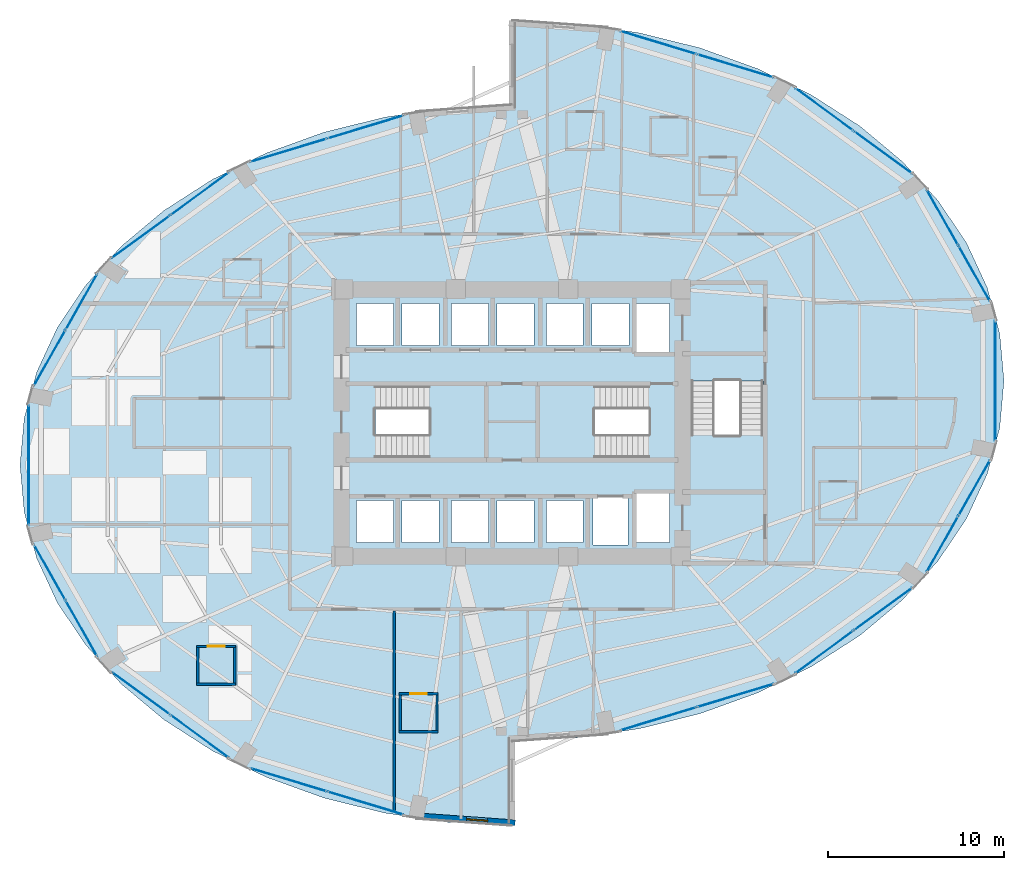
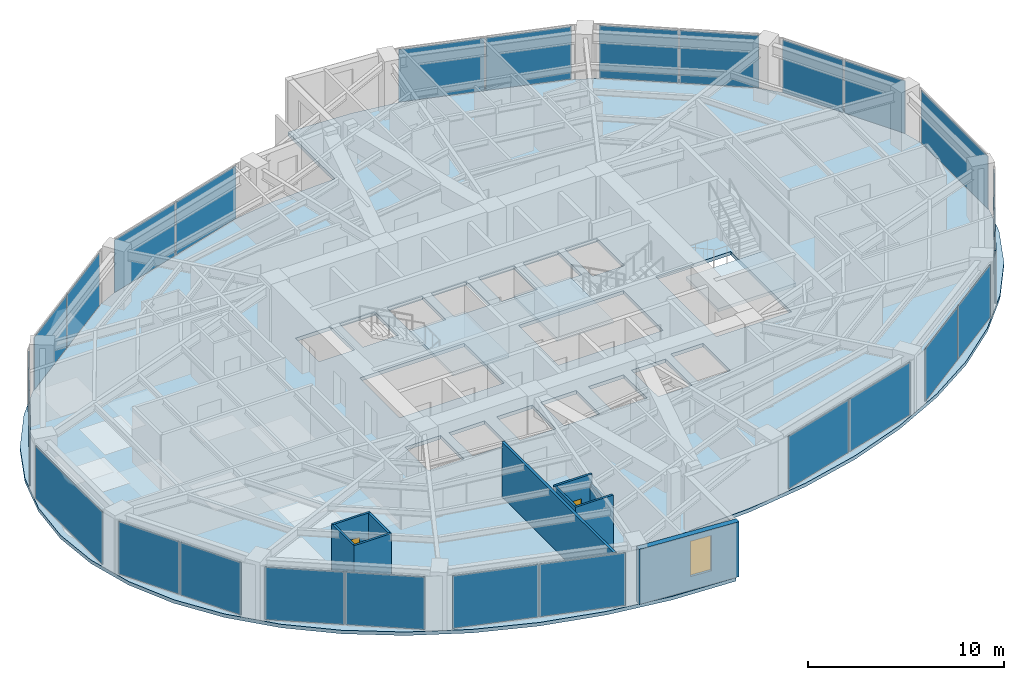
# One storey, part 19 of 25: 26 plates, 10 walls, 4 slabs, 2 doors, 1 window, 3 openings, 17 elements without a shape of their own.
"""IFC4 building model written with IfcOpenShell, lengths in metres."""

from ifc_helpers import new_model, si_unit, direction, frame, frame_2d, origin, origin_2d, place, context, subcontext, project, spatial, polyline, rectangle, outline, extrude, material, layer, layer_set, type_object, element, fill, aggregate, save


model = new_model("IFC4")

# Units and contexts
model_context = context("Model", 3, precision=1e-05, world=origin(), true_north=direction((0.0, 1.0)))
body_context = subcontext(model_context, "Body", "Model", "MODEL_VIEW")
ifc_project = project(units=[si_unit("LENGTHUNIT", "METRE"), si_unit("AREAUNIT", "SQUARE_METRE"), si_unit("VOLUMEUNIT", "CUBIC_METRE"), si_unit("PLANEANGLEUNIT", "RADIAN"), si_unit("MASSUNIT", "GRAM", prefix="KILO")], contexts=[model_context])

# Site, building, storey
site_placement = place(None, origin())
site = spatial("IfcSite", under=ifc_project, at=site_placement, CompositionType="ELEMENT")
building_placement = place(site_placement, origin())
building = spatial("IfcBuilding", under=site, at=building_placement, Name="Lazwardi Medical Tower", CompositionType="ELEMENT")
storey_placement = place(building_placement, frame((0.0, 0.0, 32.49609375)))
storey = spatial("IfcBuildingStorey", under=building, at=storey_placement, Name="L07", CompositionType="ELEMENT", Elevation=32.49609375)

# Curtain wall, plates
ifc_material_1 = material(Name="Anodised bronze aluminium and solar control glazing", Category="aluminium")
ifc_layer_1 = layer(ifc_material_1, 0.199951171875)
ifc_layer_set_1 = layer_set([ifc_layer_1], Name="Anodised bronze aluminium and solar control glazing")
curtain_wall_type = type_object("IfcCurtainWallType", Name="CW-SYS-02", PredefinedType="NOTDEFINED", material=ifc_layer_set_1)
curtain_wall_1_placement = place(storey_placement, origin())
curtain_wall_1 = element("IfcCurtainWall", 1, at=curtain_wall_1_placement, inside=storey, type_object=curtain_wall_type, Name="L07 Unitised bronze curtain wall CW-02", PredefinedType="NOTDEFINED")
ifc_material_2 = material(Name="Low-e bronze solar control double glazing", Category="glass")
ifc_layer_2 = layer(ifc_material_2, 0.035888671875)
ifc_layer_set_2 = layer_set([ifc_layer_2], Name="Low-e bronze solar control double glazing")
plate_type = type_object("IfcPlateType", Name="PLT-GLZ-01", PredefinedType="CURTAIN_PANEL", material=ifc_layer_set_2)
plate_1_placement = place(storey_placement, frame((44.335693359375, 11.158935546875, 0.07470703125), z_axis=(0.0, 0.0, 1.0), x_axis=(0.957058247129, 0.2898956909, 0.0)))
plate_1 = element("IfcPlate", 2, at=plate_1_placement, type_object=plate_type, Name="CW-02 panel 1.1", PredefinedType="CURTAIN_PANEL", context=body_context, shape_type="SweptSolid", body=[
    extrude(rectangle(XDim=4.49658203125, YDim=0.035888671875, at=origin_2d()), origin(), (0.0, 0.0, 1.0), 3.278076171875),
])
plate_2_placement = place(storey_placement, frame((48.7109375, 12.484130859375, 0.07470703125), z_axis=(0.0, 0.0, 1.0), x_axis=(0.957058247129, 0.2898956909, 0.0)))
plate_2 = element("IfcPlate", 3, at=plate_2_placement, type_object=plate_type, Name="CW-02 panel 2.1", PredefinedType="CURTAIN_PANEL", context=body_context, shape_type="SweptSolid", body=[
    extrude(rectangle(XDim=4.49658203125, YDim=0.035888671875, at=origin_2d()), origin(), (0.0, 0.0, 1.0), 3.278076171875),
])
aggregate(curtain_wall_1, [plate_1, plate_2])

curtain_wall_2_placement = place(storey_placement, origin())
curtain_wall_2 = element("IfcCurtainWall", 4, at=curtain_wall_2_placement, inside=storey, type_object=curtain_wall_type, Name="L07 Unitised bronze curtain wall CW-02", PredefinedType="NOTDEFINED")
plate_3_placement = place(storey_placement, frame((53.771484375, 14.957275390625, 0.07470703125), z_axis=(0.0, 0.0, 1.0), x_axis=(0.807191757663, 0.590289307341, 0.0)))
plate_3 = element("IfcPlate", 5, at=plate_3_placement, type_object=plate_type, Name="CW-02 panel 1.1", PredefinedType="CURTAIN_PANEL", context=body_context, shape_type="SweptSolid", body=[
    extrude(rectangle(XDim=4.070068359375, YDim=0.035888671875, at=origin_2d()), origin(), (0.0, 0.0, 1.0), 3.278076171875),
])
plate_4_placement = place(storey_placement, frame((57.117431640625, 17.404052734375, 0.07470703125), z_axis=(0.0, 0.0, 1.0), x_axis=(0.807191757663, 0.590289307341, 0.0)))
plate_4 = element("IfcPlate", 6, at=plate_4_placement, type_object=plate_type, Name="CW-02 panel 2.1", PredefinedType="CURTAIN_PANEL", context=body_context, shape_type="SweptSolid", body=[
    extrude(rectangle(XDim=4.070068359375, YDim=0.035888671875, at=origin_2d()), origin(), (0.0, 0.0, 1.0), 3.278076171875),
])
aggregate(curtain_wall_2, [plate_3, plate_4])

curtain_wall_3_placement = place(storey_placement, origin())
curtain_wall_3 = element("IfcCurtainWall", 7, at=curtain_wall_3_placement, inside=storey, type_object=curtain_wall_type, Name="L07 Unitised bronze curtain wall CW-02", PredefinedType="NOTDEFINED")
plate_5_placement = place(storey_placement, frame((60.5009765625, 21.10791015625, 0.07470703125), z_axis=(0.0, 0.0, 1.0), x_axis=(0.492854327303, 0.870111838823, 0.0)))
plate_5 = element("IfcPlate", 8, at=plate_5_placement, type_object=plate_type, Name="CW-02 panel 1.1", PredefinedType="CURTAIN_PANEL", context=body_context, shape_type="SweptSolid", body=[
    extrude(rectangle(XDim=3.5947265625, YDim=0.035888671875, at=origin_2d()), origin(), (0.0, 0.0, 1.0), 3.278076171875),
])
plate_6_placement = place(storey_placement, frame((62.3095703125, 24.301025390625, 0.07470703125), z_axis=(0.0, 0.0, 1.0), x_axis=(0.492854327303, 0.870111838823, 0.0)))
plate_6 = element("IfcPlate", 9, at=plate_6_placement, type_object=plate_type, Name="CW-02 panel 2.1", PredefinedType="CURTAIN_PANEL", context=body_context, shape_type="SweptSolid", body=[
    extrude(rectangle(XDim=3.5947265625, YDim=0.035888671875, at=origin_2d()), origin(), (0.0, 0.0, 1.0), 3.278076171875),
])
aggregate(curtain_wall_3, [plate_5, plate_6])

# Curtain wall, plate
curtain_wall_4_placement = place(storey_placement, origin())
curtain_wall_4 = element("IfcCurtainWall", 10, at=curtain_wall_4_placement, inside=storey, type_object=curtain_wall_type, Name="L07 Unitised bronze curtain wall CW-02", PredefinedType="NOTDEFINED")
plate_7_placement = place(storey_placement, frame((63.49853515625, 30.39990234375, 0.07470703125), z_axis=(0.0, 0.0, 1.0), x_axis=(0.0, 1.0, 0.0)))
plate_7 = element("IfcPlate", 11, at=plate_7_placement, type_object=plate_type, Name="CW-02 panel 1.1", PredefinedType="CURTAIN_PANEL", context=body_context, shape_type="SweptSolid", body=[
    extrude(rectangle(XDim=6.8330078125, YDim=0.035888671875, at=origin_2d()), origin(), (0.0, 0.0, 1.0), 3.278076171875),
])
aggregate(curtain_wall_4, [plate_7])

# Curtain wall, plates
curtain_wall_5_placement = place(storey_placement, origin())
curtain_wall_5 = element("IfcCurtainWall", 12, at=curtain_wall_5_placement, inside=storey, type_object=curtain_wall_type, Name="L07 Unitised bronze curtain wall CW-02", PredefinedType="NOTDEFINED")
plate_8_placement = place(storey_placement, frame((62.3095703125, 36.498779296875, 0.07470703125), z_axis=(0.0, 0.0, 1.0), x_axis=(-0.492854327303, 0.870111838823, 0.0)))
plate_8 = element("IfcPlate", 13, at=plate_8_placement, type_object=plate_type, Name="CW-02 panel 1.1", PredefinedType="CURTAIN_PANEL", context=body_context, shape_type="SweptSolid", body=[
    extrude(rectangle(XDim=3.5947265625, YDim=0.035888671875, at=origin_2d()), origin(), (0.0, 0.0, 1.0), 3.278076171875),
])
plate_9_placement = place(storey_placement, frame((60.5009765625, 39.69189453125, 0.07470703125), z_axis=(0.0, 0.0, 1.0), x_axis=(-0.492854327303, 0.870111838823, 0.0)))
plate_9 = element("IfcPlate", 14, at=plate_9_placement, type_object=plate_type, Name="CW-02 panel 2.1", PredefinedType="CURTAIN_PANEL", context=body_context, shape_type="SweptSolid", body=[
    extrude(rectangle(XDim=3.5947265625, YDim=0.035888671875, at=origin_2d()), origin(), (0.0, 0.0, 1.0), 3.278076171875),
])
aggregate(curtain_wall_5, [plate_8, plate_9])

curtain_wall_6_placement = place(storey_placement, origin())
curtain_wall_6 = element("IfcCurtainWall", 15, at=curtain_wall_6_placement, inside=storey, type_object=curtain_wall_type, Name="L07 Unitised bronze curtain wall CW-02", PredefinedType="NOTDEFINED")
plate_10_placement = place(storey_placement, frame((57.117431640625, 43.39599609375, 0.07470703125), z_axis=(0.0, 0.0, 1.0), x_axis=(-0.807191757663, 0.590289307341, 0.0)))
plate_10 = element("IfcPlate", 16, at=plate_10_placement, type_object=plate_type, Name="CW-02 panel 1.1", PredefinedType="CURTAIN_PANEL", context=body_context, shape_type="SweptSolid", body=[
    extrude(rectangle(XDim=4.070068359375, YDim=0.035888671875, at=origin_2d()), origin(), (0.0, 0.0, 1.0), 3.278076171875),
])
plate_11_placement = place(storey_placement, frame((53.771484375, 45.8427734375, 0.07470703125), z_axis=(0.0, 0.0, 1.0), x_axis=(-0.807191757663, 0.590289307341, 0.0)))
plate_11 = element("IfcPlate", 17, at=plate_11_placement, type_object=plate_type, Name="CW-02 panel 2.1", PredefinedType="CURTAIN_PANEL", context=body_context, shape_type="SweptSolid", body=[
    extrude(rectangle(XDim=4.070068359375, YDim=0.035888671875, at=origin_2d()), origin(), (0.0, 0.0, 1.0), 3.278076171875),
])
aggregate(curtain_wall_6, [plate_10, plate_11])

curtain_wall_7_placement = place(storey_placement, origin())
curtain_wall_7 = element("IfcCurtainWall", 18, at=curtain_wall_7_placement, inside=storey, type_object=curtain_wall_type, Name="L07 Unitised bronze curtain wall CW-02", PredefinedType="NOTDEFINED")
plate_12_placement = place(storey_placement, frame((48.7109375, 48.31591796875, 0.07470703125), z_axis=(0.0, 0.0, 1.0), x_axis=(-0.957058247129, 0.2898956909, 0.0)))
plate_12 = element("IfcPlate", 19, at=plate_12_placement, type_object=plate_type, Name="CW-02 panel 1.1", PredefinedType="CURTAIN_PANEL", context=body_context, shape_type="SweptSolid", body=[
    extrude(rectangle(XDim=4.49658203125, YDim=0.035888671875, at=origin_2d()), origin(), (0.0, 0.0, 1.0), 3.278076171875),
])
plate_13_placement = place(storey_placement, frame((44.335693359375, 49.64111328125, 0.07470703125), z_axis=(0.0, 0.0, 1.0), x_axis=(-0.957058247129, 0.2898956909, 0.0)))
plate_13 = element("IfcPlate", 20, at=plate_13_placement, type_object=plate_type, Name="CW-02 panel 2.1", PredefinedType="CURTAIN_PANEL", context=body_context, shape_type="SweptSolid", body=[
    extrude(rectangle(XDim=4.49658203125, YDim=0.035888671875, at=origin_2d()), origin(), (0.0, 0.0, 1.0), 3.278076171875),
])
aggregate(curtain_wall_7, [plate_12, plate_13])

curtain_wall_8_placement = place(storey_placement, origin())
curtain_wall_8 = element("IfcCurtainWall", 21, at=curtain_wall_8_placement, inside=storey, type_object=curtain_wall_type, Name="L07 Unitised bronze curtain wall CW-02", PredefinedType="NOTDEFINED")
plate_14_placement = place(storey_placement, frame((27.664306640625, 44.841064453125, 0.07470703125), z_axis=(0.0, 0.0, 1.0), x_axis=(-0.957058247129, -0.2898956909, 0.0)))
plate_14 = element("IfcPlate", 22, at=plate_14_placement, type_object=plate_type, Name="CW-02 panel 1.1", PredefinedType="CURTAIN_PANEL", context=body_context, shape_type="SweptSolid", body=[
    extrude(rectangle(XDim=4.49658203125, YDim=0.035888671875, at=origin_2d()), origin(), (0.0, 0.0, 1.0), 3.278076171875),
])
plate_15_placement = place(storey_placement, frame((23.2890625, 43.515869140625, 0.07470703125), z_axis=(0.0, 0.0, 1.0), x_axis=(-0.957058247129, -0.2898956909, 0.0)))
plate_15 = element("IfcPlate", 23, at=plate_15_placement, type_object=plate_type, Name="CW-02 panel 2.1", PredefinedType="CURTAIN_PANEL", context=body_context, shape_type="SweptSolid", body=[
    extrude(rectangle(XDim=4.49658203125, YDim=0.035888671875, at=origin_2d()), origin(), (0.0, 0.0, 1.0), 3.278076171875),
])
aggregate(curtain_wall_8, [plate_14, plate_15])

curtain_wall_9_placement = place(storey_placement, origin())
curtain_wall_9 = element("IfcCurtainWall", 24, at=curtain_wall_9_placement, inside=storey, type_object=curtain_wall_type, Name="L07 Unitised bronze curtain wall CW-02", PredefinedType="NOTDEFINED")
plate_16_placement = place(storey_placement, frame((18.228515625, 41.042724609375, 0.07470703125), z_axis=(0.0, 0.0, 1.0), x_axis=(-0.807191757663, -0.590289307341, 0.0)))
plate_16 = element("IfcPlate", 25, at=plate_16_placement, type_object=plate_type, Name="CW-02 panel 1.1", PredefinedType="CURTAIN_PANEL", context=body_context, shape_type="SweptSolid", body=[
    extrude(rectangle(XDim=4.070068359375, YDim=0.035888671875, at=origin_2d()), origin(), (0.0, 0.0, 1.0), 3.278076171875),
])
plate_17_placement = place(storey_placement, frame((14.882568359375, 38.595947265625, 0.07470703125), z_axis=(0.0, 0.0, 1.0), x_axis=(-0.807191757663, -0.590289307341, 0.0)))
plate_17 = element("IfcPlate", 26, at=plate_17_placement, type_object=plate_type, Name="CW-02 panel 2.1", PredefinedType="CURTAIN_PANEL", context=body_context, shape_type="SweptSolid", body=[
    extrude(rectangle(XDim=4.070068359375, YDim=0.035888671875, at=origin_2d()), origin(), (0.0, 0.0, 1.0), 3.278076171875),
])
aggregate(curtain_wall_9, [plate_16, plate_17])

curtain_wall_10_placement = place(storey_placement, origin())
curtain_wall_10 = element("IfcCurtainWall", 27, at=curtain_wall_10_placement, inside=storey, type_object=curtain_wall_type, Name="L07 Unitised bronze curtain wall CW-02", PredefinedType="NOTDEFINED")
plate_18_placement = place(storey_placement, frame((11.4990234375, 34.89208984375, 0.07470703125), z_axis=(0.0, 0.0, 1.0), x_axis=(-0.492854327303, -0.870111838823, 0.0)))
plate_18 = element("IfcPlate", 28, at=plate_18_placement, type_object=plate_type, Name="CW-02 panel 1.1", PredefinedType="CURTAIN_PANEL", context=body_context, shape_type="SweptSolid", body=[
    extrude(rectangle(XDim=3.5947265625, YDim=0.035888671875, at=origin_2d()), origin(), (0.0, 0.0, 1.0), 3.278076171875),
])
plate_19_placement = place(storey_placement, frame((9.6904296875, 31.698974609375, 0.07470703125), z_axis=(0.0, 0.0, 1.0), x_axis=(-0.492854327303, -0.870111838823, 0.0)))
plate_19 = element("IfcPlate", 29, at=plate_19_placement, type_object=plate_type, Name="CW-02 panel 2.1", PredefinedType="CURTAIN_PANEL", context=body_context, shape_type="SweptSolid", body=[
    extrude(rectangle(XDim=3.5947265625, YDim=0.035888671875, at=origin_2d()), origin(), (0.0, 0.0, 1.0), 3.278076171875),
])
aggregate(curtain_wall_10, [plate_18, plate_19])

# Curtain wall, plate
curtain_wall_11_placement = place(storey_placement, origin())
curtain_wall_11 = element("IfcCurtainWall", 30, at=curtain_wall_11_placement, inside=storey, type_object=curtain_wall_type, Name="L07 Unitised bronze curtain wall CW-02", PredefinedType="NOTDEFINED")
plate_20_placement = place(storey_placement, frame((8.50146484375, 25.60009765625, 0.07470703125), z_axis=(0.0, 0.0, 1.0), x_axis=(0.0, -1.0, 0.0)))
plate_20 = element("IfcPlate", 31, at=plate_20_placement, type_object=plate_type, Name="CW-02 panel 1.1", PredefinedType="CURTAIN_PANEL", context=body_context, shape_type="SweptSolid", body=[
    extrude(rectangle(XDim=6.8330078125, YDim=0.035888671875, at=origin_2d()), origin(), (0.0, 0.0, 1.0), 3.278076171875),
])
aggregate(curtain_wall_11, [plate_20])

# Curtain wall, plates
curtain_wall_12_placement = place(storey_placement, origin())
curtain_wall_12 = element("IfcCurtainWall", 32, at=curtain_wall_12_placement, inside=storey, type_object=curtain_wall_type, Name="L07 Unitised bronze curtain wall CW-02", PredefinedType="NOTDEFINED")
plate_21_placement = place(storey_placement, frame((9.6904296875, 19.501220703125, 0.07470703125), z_axis=(0.0, 0.0, 1.0), x_axis=(0.492854327303, -0.870111838823, 0.0)))
plate_21 = element("IfcPlate", 33, at=plate_21_placement, type_object=plate_type, Name="CW-02 panel 1.1", PredefinedType="CURTAIN_PANEL", context=body_context, shape_type="SweptSolid", body=[
    extrude(rectangle(XDim=3.5947265625, YDim=0.035888671875, at=origin_2d()), origin(), (0.0, 0.0, 1.0), 3.278076171875),
])
plate_22_placement = place(storey_placement, frame((11.4990234375, 16.30810546875, 0.07470703125), z_axis=(0.0, 0.0, 1.0), x_axis=(0.492854327303, -0.870111838823, 0.0)))
plate_22 = element("IfcPlate", 34, at=plate_22_placement, type_object=plate_type, Name="CW-02 panel 2.1", PredefinedType="CURTAIN_PANEL", context=body_context, shape_type="SweptSolid", body=[
    extrude(rectangle(XDim=3.5947265625, YDim=0.035888671875, at=origin_2d()), origin(), (0.0, 0.0, 1.0), 3.278076171875),
])
aggregate(curtain_wall_12, [plate_21, plate_22])

curtain_wall_13_placement = place(storey_placement, origin())
curtain_wall_13 = element("IfcCurtainWall", 35, at=curtain_wall_13_placement, inside=storey, type_object=curtain_wall_type, Name="L07 Unitised bronze curtain wall CW-02", PredefinedType="NOTDEFINED")
plate_23_placement = place(storey_placement, frame((14.882568359375, 12.60400390625, 0.07470703125), z_axis=(0.0, 0.0, 1.0), x_axis=(0.807191757663, -0.590289307341, 0.0)))
plate_23 = element("IfcPlate", 36, at=plate_23_placement, type_object=plate_type, Name="CW-02 panel 1.1", PredefinedType="CURTAIN_PANEL", context=body_context, shape_type="SweptSolid", body=[
    extrude(rectangle(XDim=4.070068359375, YDim=0.035888671875, at=origin_2d()), origin(), (0.0, 0.0, 1.0), 3.278076171875),
])
plate_24_placement = place(storey_placement, frame((18.228515625, 10.1572265625, 0.07470703125), z_axis=(0.0, 0.0, 1.0), x_axis=(0.807191757663, -0.590289307341, 0.0)))
plate_24 = element("IfcPlate", 37, at=plate_24_placement, type_object=plate_type, Name="CW-02 panel 2.1", PredefinedType="CURTAIN_PANEL", context=body_context, shape_type="SweptSolid", body=[
    extrude(rectangle(XDim=4.070068359375, YDim=0.035888671875, at=origin_2d()), origin(), (0.0, 0.0, 1.0), 3.278076171875),
])
aggregate(curtain_wall_13, [plate_23, plate_24])

curtain_wall_14_placement = place(storey_placement, origin())
curtain_wall_14 = element("IfcCurtainWall", 38, at=curtain_wall_14_placement, inside=storey, type_object=curtain_wall_type, Name="L07 Unitised bronze curtain wall CW-02", PredefinedType="NOTDEFINED")
plate_25_placement = place(storey_placement, frame((23.2890625, 7.68408203125, 0.07470703125), z_axis=(0.0, 0.0, 1.0), x_axis=(0.957058247129, -0.2898956909, 0.0)))
plate_25 = element("IfcPlate", 39, at=plate_25_placement, type_object=plate_type, Name="CW-02 panel 1.1", PredefinedType="CURTAIN_PANEL", context=body_context, shape_type="SweptSolid", body=[
    extrude(rectangle(XDim=4.49658203125, YDim=0.035888671875, at=origin_2d()), origin(), (0.0, 0.0, 1.0), 3.278076171875),
])
plate_26_placement = place(storey_placement, frame((27.664306640625, 6.35888671875, 0.07470703125), z_axis=(0.0, 0.0, 1.0), x_axis=(0.957058247129, -0.2898956909, 0.0)))
plate_26 = element("IfcPlate", 40, at=plate_26_placement, type_object=plate_type, Name="CW-02 panel 2.1", PredefinedType="CURTAIN_PANEL", context=body_context, shape_type="SweptSolid", body=[
    extrude(rectangle(XDim=4.49658203125, YDim=0.035888671875, at=origin_2d()), origin(), (0.0, 0.0, 1.0), 3.278076171875),
])
aggregate(curtain_wall_14, [plate_25, plate_26])

# Stair, slab
ifc_material_3 = material(Name="Concrete C45/55", Category="concrete")
stair_type = type_object("IfcStairType", Name="STR-WRD", PredefinedType="HALF_TURN_STAIR", material=ifc_material_3)
stair_1_placement = place(storey_placement, origin())
stair_1 = element("IfcStair", 41, at=stair_1_placement, inside=storey, type_object=stair_type, Name="L07 Protected Exit Stair ST1", PredefinedType="HALF_TURN_STAIR")
ifc_layer_3 = layer(ifc_material_3, 0.199951171875)
ifc_layer_set_3 = layer_set([ifc_layer_3], Name="Concrete C45/55")
slab_type_1 = type_object("IfcSlabType", Name="SLB-LND-190", PredefinedType="LANDING", material=ifc_layer_set_3)
slab_1_placement = place(storey_placement, frame((0.0, 0.0, 1.6240234375)))
slab_1 = element("IfcSlab", 42, at=slab_1_placement, type_object=slab_type_1, Name="ST1 landing 1", PredefinedType="LANDING", context=body_context, shape_type="SweptSolid", body=[
    extrude(outline(polyline([(31.27490234375, 25.840087890625), (34.580078125, 25.840087890625), (34.580078125, 30.280029296875), (31.27490234375, 30.280029296875), (31.27490234375, 25.840087890625)])), origin(), (0.0, 0.0, 1.0), 0.199951171875),
])
aggregate(stair_1, [slab_1])

stair_2_placement = place(storey_placement, origin())
stair_2 = element("IfcStair", 43, at=stair_2_placement, inside=storey, type_object=stair_type, Name="L07 Protected Exit Stair ST2", PredefinedType="HALF_TURN_STAIR")
slab_2_placement = place(storey_placement, frame((0.0, 0.0, 1.6240234375)))
slab_2 = element("IfcSlab", 44, at=slab_2_placement, type_object=slab_type_1, Name="ST2 landing 1", PredefinedType="LANDING", context=body_context, shape_type="SweptSolid", body=[
    extrude(outline(polyline([(40.72509765625, 30.280029296875), (37.419921875, 30.280029296875), (37.419921875, 25.840087890625), (40.72509765625, 25.840087890625), (40.72509765625, 30.280029296875)])), origin(), (0.0, 0.0, 1.0), 0.199951171875),
])
aggregate(stair_2, [slab_2])

stair_3_placement = place(storey_placement, origin())
stair_3 = element("IfcStair", 45, at=stair_3_placement, inside=storey, type_object=stair_type, Name="L07 Protected Exit Stair ST3", PredefinedType="HALF_TURN_STAIR")
slab_3_placement = place(storey_placement, frame((0.0, 0.0, 1.6240234375)))
slab_3 = element("IfcSlab", 46, at=slab_3_placement, type_object=slab_type_1, Name="ST3 landing 1", PredefinedType="LANDING", context=body_context, shape_type="SweptSolid", body=[
    extrude(outline(polyline([(45.860107421875, 27.324951171875), (45.860107421875, 24.02001953125), (50.4599609375, 24.02001953125), (50.4599609375, 27.324951171875), (45.860107421875, 27.324951171875)])), origin(), (0.0, 0.0, 1.0), 0.199951171875),
])
aggregate(stair_3, [slab_3])

# Slab
ifc_material_4 = material(Name="Concrete C50/60", Category="concrete")
ifc_layer_4 = layer(ifc_material_4, 0.219970703125)
ifc_layer_set_4 = layer_set([ifc_layer_4], Name="Concrete C50/60")
slab_type_2 = type_object("IfcSlabType", Name="SLB-WRD-220", PredefinedType="FLOOR", material=ifc_layer_set_4)
slab_4_placement = place(storey_placement, frame((0.0, 0.0, -0.22021484375)))
element("IfcSlab", 47, at=slab_4_placement, inside=storey, type_object=slab_type_2, Name="Structural floor slab SF-03 L07", PredefinedType="FLOOR", context=body_context, shape_type="SweptSolid", body=[
    extrude(outline(polyline([(10.13134765625, 33.445068359375), (8.9541015625, 30.90576171875), (8.239501953125, 28.27587890625), (8.0, 25.60009765625), (8.239501953125, 22.92431640625), (8.9541015625, 20.294189453125), (10.13134765625, 17.7548828125), (11.751220703125, 15.35009765625), (13.7861328125, 13.120361328125), (16.200927734375, 11.104248046875), (18.95458984375, 9.336181640625), (22.0, 7.846435546875), (25.284912109375, 6.660400390625), (28.753173828125, 5.798583984375), (32.34521484375, 5.275390625), (36.0, 5.10009765625), (36.0, 9.89990234375), (39.65478515625, 10.075439453125), (43.246826171875, 10.598388671875), (46.715087890625, 11.46044921875), (50.0, 12.646484375), (53.04541015625, 14.13623046875), (55.799072265625, 15.904296875), (58.2138671875, 17.92041015625), (60.248779296875, 20.14990234375), (61.86865234375, 22.554931640625), (63.0458984375, 25.09423828125), (63.760498046875, 27.72412109375), (64.0, 30.39990234375), (63.760498046875, 33.07568359375), (63.0458984375, 35.705810546875), (61.86865234375, 38.2451171875), (60.248779296875, 40.64990234375), (58.2138671875, 42.879638671875), (55.799072265625, 44.895751953125), (53.04541015625, 46.663818359375), (50.0, 48.153564453125), (46.715087890625, 49.339599609375), (43.246826171875, 50.201416015625), (39.65478515625, 50.724609375), (36.0, 50.89990234375), (36.0, 46.10009765625), (32.34521484375, 45.924560546875), (28.753173828125, 45.401611328125), (25.284912109375, 44.53955078125), (22.0, 43.353515625), (18.95458984375, 41.86376953125), (16.200927734375, 40.095703125), (13.7861328125, 38.07958984375), (11.751220703125, 35.85009765625), (10.13134765625, 33.445068359375)]), holes=[polyline([(28.22509765625, 26.02001953125), (28.22509765625, 30.10009765625), (34.39990234375, 30.10009765625), (34.39990234375, 26.02001953125), (28.22509765625, 26.02001953125)]), polyline([(37.60009765625, 30.10009765625), (43.77490234375, 30.10009765625), (43.77490234375, 26.02001953125), (37.60009765625, 26.02001953125), (37.60009765625, 30.10009765625)]), polyline([(50.280029296875, 30.375), (50.280029296875, 24.179931640625), (45.840087890625, 24.179931640625), (45.840087890625, 30.375), (50.280029296875, 30.375)]), polyline([(29.25, 32.39990234375), (27.14990234375, 32.39990234375), (27.14990234375, 34.800048828125), (29.25, 34.800048828125), (29.25, 32.39990234375)]), polyline([(29.75, 32.39990234375), (29.75, 34.800048828125), (31.85009765625, 34.800048828125), (31.85009765625, 32.39990234375), (29.75, 32.39990234375)]), polyline([(27.14990234375, 23.60009765625), (29.25, 23.60009765625), (29.25, 21.199951171875), (27.14990234375, 21.199951171875), (27.14990234375, 23.60009765625)]), polyline([(31.85009765625, 23.60009765625), (31.85009765625, 21.199951171875), (29.75, 21.199951171875), (29.75, 23.60009765625), (31.85009765625, 23.60009765625)]), polyline([(34.64990234375, 32.39990234375), (32.550048828125, 32.39990234375), (32.550048828125, 34.800048828125), (34.64990234375, 34.800048828125), (34.64990234375, 32.39990234375)]), polyline([(35.14990234375, 32.39990234375), (35.14990234375, 34.800048828125), (37.25, 34.800048828125), (37.25, 32.39990234375), (35.14990234375, 32.39990234375)]), polyline([(32.550048828125, 23.60009765625), (34.64990234375, 23.60009765625), (34.64990234375, 21.199951171875), (32.550048828125, 21.199951171875), (32.550048828125, 23.60009765625)]), polyline([(37.25, 23.60009765625), (37.25, 21.199951171875), (35.14990234375, 21.199951171875), (35.14990234375, 23.60009765625), (37.25, 23.60009765625)]), polyline([(40.050048828125, 32.39990234375), (37.949951171875, 32.39990234375), (37.949951171875, 34.800048828125), (40.050048828125, 34.800048828125), (40.050048828125, 32.39990234375)]), polyline([(40.550048828125, 32.39990234375), (40.550048828125, 34.800048828125), (42.64990234375, 34.800048828125), (42.64990234375, 32.39990234375), (40.550048828125, 32.39990234375)]), polyline([(37.949951171875, 23.60009765625), (40.050048828125, 23.60009765625), (40.050048828125, 21.199951171875), (37.949951171875, 21.199951171875), (37.949951171875, 23.60009765625)]), polyline([(44.949951171875, 34.800048828125), (44.949951171875, 32.0), (43.050048828125, 32.0), (43.050048828125, 34.800048828125), (44.949951171875, 34.800048828125)]), polyline([(44.949951171875, 21.199951171875), (43.050048828125, 21.199951171875), (43.050048828125, 24.0), (44.949951171875, 24.0), (44.949951171875, 21.199951171875)]), polyline([(40.60009765625, 21.050048828125), (40.60009765625, 23.75), (42.60009765625, 23.75), (42.60009765625, 21.050048828125), (40.60009765625, 21.050048828125)])]), origin(), (0.0, 0.0, 1.0), 0.22021484375),
])

# Wall, opening, door
ifc_material_5 = material(Name="Moisture-resistant gypsum board partition")
ifc_layer_5 = layer(ifc_material_5, 0.125)
ifc_layer_set_5 = layer_set([ifc_layer_5], Name="Moisture-resistant gypsum board partition")
wall_type_1 = type_object("IfcWallType", Name="WL-ENS-125", PredefinedType="PARTITIONING", material=ifc_layer_set_5)
wall_1_placement = place(storey_placement, frame((18.057861328125, 15.285400390625, 0.0), z_axis=(0.0, 0.0, 1.0), x_axis=(1.0, 0.0, 0.0)))
wall_1 = element("IfcWall", 48, at=wall_1_placement, inside=storey, type_object=wall_type_1, Name="L07 En-suite wall 1N", PredefinedType="PARTITIONING", context=body_context, shape_type="SweptSolid", body=[
    extrude(rectangle(XDim=2.219970703125, YDim=0.125, at=frame_2d((1.10986328125, 0.0))), origin(), (0.0, 0.0, 1.0), 3.427978515625),
])
opening_1_placement = place(wall_1_placement, frame((0.635009765625, 0.0, 0.0)))
opening_1 = element("IfcOpeningElement", 49, at=opening_1_placement, cuts=wall_1, Name="Opening D-L07-003", PredefinedType="OPENING", context=body_context, shape_type="SweptSolid", body=[
    extrude(rectangle(XDim=0.949951171875, YDim=2.10009765625, at=frame_2d((0.47509765625, 1.050048828125))), frame((0.0, 0.072509765625, 0.0), z_axis=(0.0, -1.0, 0.0), x_axis=(1.0, 0.0, 0.0)), (0.0, 0.0, 1.0), 0.14501953125),
])
ifc_material_6 = material(Name="Moisture-resistant laminate door leaf")
door_type = type_object("IfcDoorType", Name="DR-ENS-950", OperationType="NOTDEFINED", PredefinedType="DOOR", material=ifc_material_6)
door_1_placement = place(opening_1_placement, origin())
door_1 = element("IfcDoor", 50, at=door_1_placement, inside=storey, type_object=door_type, Name="L07 En-suite Door 01", OperationType="SINGLE_SWING_RIGHT", OverallHeight=2.10009765625, OverallWidth=0.949951171875, PredefinedType="DOOR", context=body_context, shape_type="SweptSolid", body=[
    extrude(rectangle(XDim=0.949951171875, YDim=2.10009765625, at=frame_2d((0.47509765625, 1.050048828125))), frame((0.0, 0.02490234375, 0.0), z_axis=(0.0, -1.0, 0.0), x_axis=(1.0, 0.0, 0.0)), (0.0, 0.0, 1.0), 0.050048828125),
])
fill(opening_1, door_1)

# Walls
wall_2_placement = place(storey_placement, frame((18.057861328125, 13.12548828125, 0.0), z_axis=(0.0, 0.0, 1.0), x_axis=(1.0, 0.0, 0.0)))
element("IfcWall", 51, at=wall_2_placement, inside=storey, type_object=wall_type_1, Name="L07 En-suite wall 1S", PredefinedType="PARTITIONING", context=body_context, shape_type="SweptSolid", body=[
    extrude(rectangle(XDim=2.219970703125, YDim=0.125, at=frame_2d((1.10986328125, 0.0))), origin(), (0.0, 0.0, 1.0), 3.427978515625),
])
for number, where, z_axis, x_axis, name in (
    (52, (20.218017578125, 13.0654296875, 0.0), (0.0, 0.0, 1.0), (0.0, 1.0, 0.0), "L07 En-suite wall 1E"),
    (53, (18.117919921875, 13.0654296875, 0.0), (0.0, 0.0, 1.0), (0.0, 1.0, 0.0), "L07 En-suite wall 1W"),
):
    element("IfcWall", number, at=place(storey_placement, frame(where, z_axis=z_axis, x_axis=x_axis)), inside=storey, type_object=wall_type_1, Name=name, PredefinedType="PARTITIONING", context=body_context, shape_type="SweptSolid", body=[
        extrude(rectangle(XDim=2.280029296875, YDim=0.125, at=frame_2d((1.14013671875, 0.0))), origin(), (0.0, 0.0, 1.0), 3.427978515625),
    ])

# Wall, opening, door
wall_3_placement = place(storey_placement, frame((29.574951171875, 12.58935546875, 0.0), z_axis=(0.0, 0.0, 1.0), x_axis=(1.0, 0.0, 0.0)))
wall_3 = element("IfcWall", 54, at=wall_3_placement, inside=storey, type_object=wall_type_1, Name="L07 En-suite wall 2N", PredefinedType="PARTITIONING", context=body_context, shape_type="SweptSolid", body=[
    extrude(rectangle(XDim=2.219970703125, YDim=0.125, at=frame_2d((1.10986328125, 0.0))), origin(), (0.0, 0.0, 1.0), 3.427978515625),
])
opening_2_placement = place(wall_3_placement, frame((0.635009765625, 0.0, 0.0)))
opening_2 = element("IfcOpeningElement", 55, at=opening_2_placement, cuts=wall_3, Name="Opening D-L07-004", PredefinedType="OPENING", context=body_context, shape_type="SweptSolid", body=[
    extrude(rectangle(XDim=0.949951171875, YDim=2.10009765625, at=frame_2d((0.47509765625, 1.050048828125))), frame((0.0, 0.072509765625, 0.0), z_axis=(0.0, -1.0, 0.0), x_axis=(1.0, 0.0, 0.0)), (0.0, 0.0, 1.0), 0.14501953125),
])
door_2_placement = place(opening_2_placement, origin())
door_2 = element("IfcDoor", 56, at=door_2_placement, inside=storey, type_object=door_type, Name="L07 En-suite Door 02", OperationType="SINGLE_SWING_RIGHT", OverallHeight=2.10009765625, OverallWidth=0.949951171875, PredefinedType="DOOR", context=body_context, shape_type="SweptSolid", body=[
    extrude(rectangle(XDim=0.949951171875, YDim=2.10009765625, at=frame_2d((0.47509765625, 1.050048828125))), frame((0.0, 0.02490234375, 0.0), z_axis=(0.0, -1.0, 0.0), x_axis=(1.0, 0.0, 0.0)), (0.0, 0.0, 1.0), 0.050048828125),
])
fill(opening_2, door_2)

# Walls
wall_4_placement = place(storey_placement, frame((29.574951171875, 10.42919921875, 0.0), z_axis=(0.0, 0.0, 1.0), x_axis=(1.0, 0.0, 0.0)))
element("IfcWall", 57, at=wall_4_placement, inside=storey, type_object=wall_type_1, Name="L07 En-suite wall 2S", PredefinedType="PARTITIONING", context=body_context, shape_type="SweptSolid", body=[
    extrude(rectangle(XDim=2.219970703125, YDim=0.125, at=frame_2d((1.10986328125, 0.0))), origin(), (0.0, 0.0, 1.0), 3.427978515625),
])
wall_5_placement = place(storey_placement, frame((31.735107421875, 10.369384765625, 0.0), z_axis=(0.0, 0.0, 1.0), x_axis=(0.0, 1.0, 0.0)))
element("IfcWall", 58, at=wall_5_placement, inside=storey, type_object=wall_type_1, Name="L07 En-suite wall 2E", PredefinedType="PARTITIONING", context=body_context, shape_type="SweptSolid", body=[
    extrude(rectangle(XDim=2.280029296875, YDim=0.125, at=frame_2d((1.14013671875, 0.0))), origin(), (0.0, 0.0, 1.0), 2.81298828125),
])
wall_6_placement = place(storey_placement, frame((29.635009765625, 10.369384765625, 0.0), z_axis=(0.0, 0.0, 1.0), x_axis=(0.0, 1.0, 0.0)))
element("IfcWall", 59, at=wall_6_placement, inside=storey, type_object=wall_type_1, Name="L07 En-suite wall 2W", PredefinedType="PARTITIONING", context=body_context, shape_type="SweptSolid", body=[
    extrude(rectangle(XDim=2.280029296875, YDim=0.125, at=frame_2d((1.14013671875, 0.0))), origin(), (0.0, 0.0, 1.0), 3.427978515625),
])

# Wall, opening, window
ifc_material_7 = material(Name="Precast concrete C45/55", Category="concrete")
ifc_layer_6 = layer(ifc_material_7, 0.320068359375)
ifc_layer_set_6 = layer_set([ifc_layer_6], Name="Precast concrete C45/55")
wall_type_2 = type_object("IfcWallType", Name="WL-IWAN-320", PredefinedType="SOLIDWALL", material=ifc_layer_set_6)
wall_7_placement = place(storey_placement, frame((30.518798828125, 5.654296875, 0.0), z_axis=(0.0, 0.0, 1.0), x_axis=(0.997421878774, -0.071760683825, 0.0)))
wall_7 = element("IfcWall", 60, at=wall_7_placement, inside=storey, type_object=wall_type_2, Name="L07 Iwan Portal Return Wall SW_ret", PredefinedType="SOLIDWALL", context=body_context, shape_type="SweptSolid", body=[
    extrude(rectangle(XDim=5.6748046875, YDim=0.320068359375, at=frame_2d((2.83740234375, 0.0))), origin(), (0.0, 0.0, 1.0), 3.427978515625),
])
opening_3_placement = place(wall_7_placement, frame((2.902587890625, 0.0, 0.85009765625)))
opening_3 = element("IfcOpeningElement", 61, at=opening_3_placement, cuts=wall_7, Name="Opening WN-01", PredefinedType="OPENING", context=body_context, shape_type="SweptSolid", body=[
    extrude(rectangle(XDim=1.199951171875, YDim=2.199951171875, at=frame_2d((0.60009765625, 1.10009765625))), frame((0.0, 0.169921875, 0.0), z_axis=(0.0, -1.0, 0.0), x_axis=(1.0, 0.0, 0.0)), (0.0, 0.0, 1.0), 0.340087890625),
])
window_type = type_object("IfcWindowType", Name="WIN-IW-1200", PartitioningType="SINGLE_PANEL", PredefinedType="WINDOW", material=ifc_material_2)
window_placement = place(opening_3_placement, origin())
window = element("IfcWindow", 62, at=window_placement, inside=storey, type_object=window_type, Name="L07 Iwan Slot Window SW_ret", OverallHeight=2.199951171875, OverallWidth=1.199951171875, PartitioningType="SINGLE_PANEL", PredefinedType="WINDOW", context=body_context, shape_type="SweptSolid", body=[
    extrude(rectangle(XDim=1.199951171875, YDim=2.199951171875, at=frame_2d((0.60009765625, 1.10009765625))), frame((0.0, 0.030029296875, 0.0), z_axis=(0.0, -1.0, 0.0), x_axis=(1.0, 0.0, 0.0)), (0.0, 0.0, 1.0), 0.06005859375),
])
fill(opening_3, window)

# Wall
ifc_material_8 = material(Name="Acoustic gypsum board partition")
ifc_layer_7 = layer(ifc_material_8, 0.14990234375)
ifc_layer_set_7 = layer_set([ifc_layer_7], Name="Acoustic gypsum board partition")
wall_type_3 = type_object("IfcWallType", Name="WL-WRD-150", PredefinedType="PARTITIONING", material=ifc_layer_set_7)
wall_8_placement = place(storey_placement, frame((29.300048828125, 5.875732421875, 0.0), z_axis=(0.0, 0.0, 1.0), x_axis=(0.0, 1.0, 0.0)))
element("IfcWall", 63, at=wall_8_placement, inside=storey, type_object=wall_type_3, Name="L07 Room partition 10", PredefinedType="PARTITIONING", context=body_context, shape_type="SweptSolid", body=[
    extrude(rectangle(XDim=11.434326171875, YDim=0.14990234375, at=frame_2d((5.71728515625, 0.0))), origin(), (0.0, 0.0, 1.0), 3.427978515625),
])

save(model, "model.ifc")
